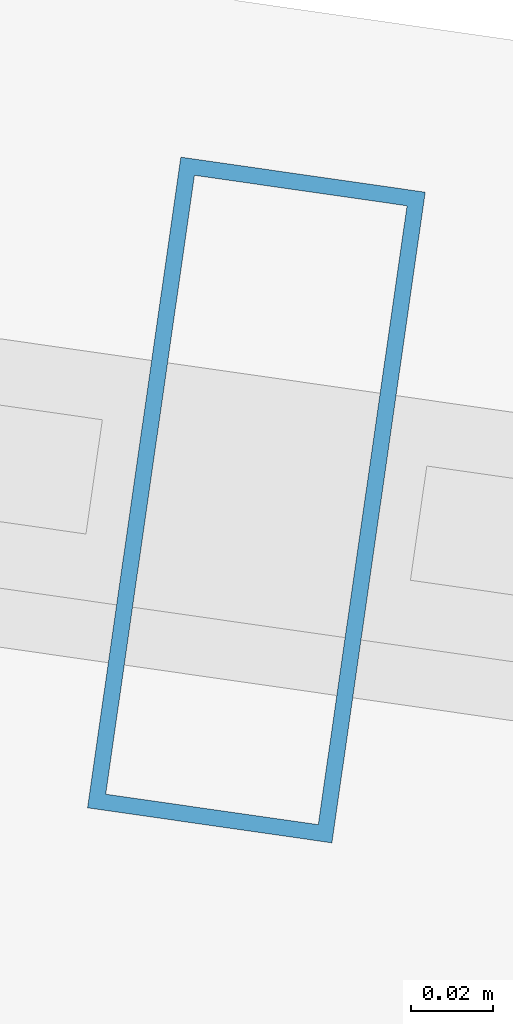
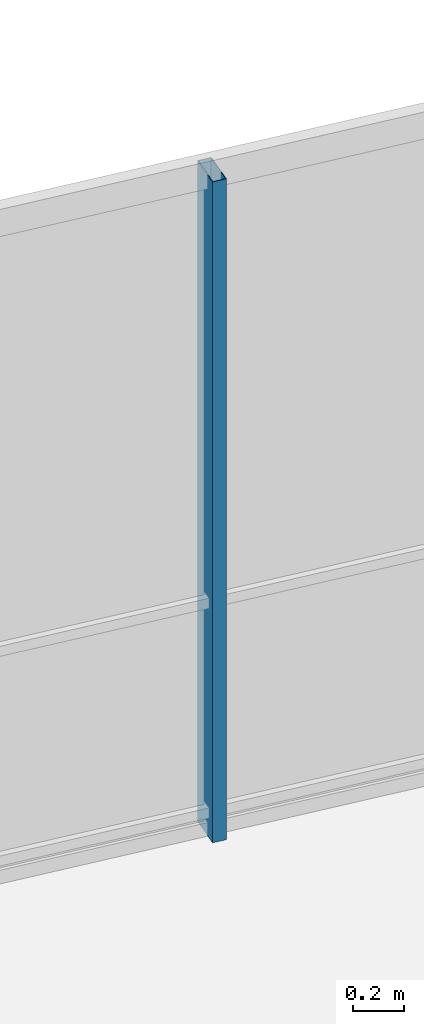
# One storey, part 22 of 32: 1 member, 1 element without a shape of its own.
"""IFC4 building model written with IfcOpenShell, lengths in metres."""

from ifc_helpers import new_model, si_unit, direction, frame, origin, origin_2d, place, context, subcontext, project, spatial, hollow_rectangle, extrude, material, layer, layer_set, material_profile, profile_set, type_object, element, aggregate, save


model = new_model("IFC4")

# Units and contexts
model_context = context("Model", 3, precision=1e-05, world=origin(), true_north=direction((0.0, 1.0)))
body_context = subcontext(model_context, "Body", "Model", "MODEL_VIEW")
ifc_project = project(units=[si_unit("LENGTHUNIT", "METRE"), si_unit("AREAUNIT", "SQUARE_METRE"), si_unit("VOLUMEUNIT", "CUBIC_METRE"), si_unit("PLANEANGLEUNIT", "RADIAN"), si_unit("MASSUNIT", "GRAM", prefix="KILO")], contexts=[model_context])

# Site, building, storey
site_placement = place(None, origin())
site = spatial("IfcSite", under=ifc_project, at=site_placement, CompositionType="ELEMENT")
building_placement = place(site_placement, origin())
building = spatial("IfcBuilding", under=site, at=building_placement, Name="Qarnah Convention Tower", CompositionType="ELEMENT")
storey_placement = place(building_placement, frame((0.0, 0.0, 37.35009765625)))
storey = spatial("IfcBuildingStorey", under=building, at=storey_placement, Name="L08", CompositionType="ELEMENT", Elevation=37.35009765625)

# Curtain wall, member
ifc_material_1 = material(Name="Tempered Low-E dark glass", Category="glass")
ifc_layer = layer(ifc_material_1, 0.16796875)
ifc_layer_set = layer_set([ifc_layer], Name="Tempered Low-E dark glass")
curtain_wall_type = type_object("IfcCurtainWallType", Name="CWS-01", PredefinedType="NOTDEFINED", material=ifc_layer_set)
curtain_wall_placement = place(storey_placement, origin())
curtain_wall = element("IfcCurtainWall", 1, at=curtain_wall_placement, inside=storey, type_object=curtain_wall_type, Name="L08 unitised curtain wall CW-L08-F2", PredefinedType="NOTDEFINED")
ifc_material_2 = material(Name="Black anodised aluminium", Category="aluminium")
ifc_material_profile = material_profile(ifc_material_2, hollow_rectangle(XDim=0.06005859375, YDim=0.159912109375, WallThickness=0.00390625, at=origin_2d()), Name="MUL-60X160")
ifc_profile_set = profile_set([ifc_material_profile], Name="Black anodised aluminium")
member_type = type_object("IfcMemberType", Name="MUL-T1", PredefinedType="MULLION", material=ifc_profile_set)
member_placement = place(storey_placement, frame((44.658203125, 44.33984375, 0.0), z_axis=(0.0, 0.0, 1.0), x_axis=(0.989875035809, -0.141941584753, 0.0)))
member = element("IfcMember", 2, at=member_placement, type_object=member_type, Name="CW-L08-F2 mullion 4", PredefinedType="MULLION", context=body_context, shape_type="SweptSolid", body=[
    extrude(hollow_rectangle(XDim=0.06005859375, YDim=0.159912109375, WallThickness=0.00390625, at=origin_2d()), origin(), (0.0, 0.0, 1.0), 3.169921875),
])
aggregate(curtain_wall, [member])

save(model, "model.ifc")
